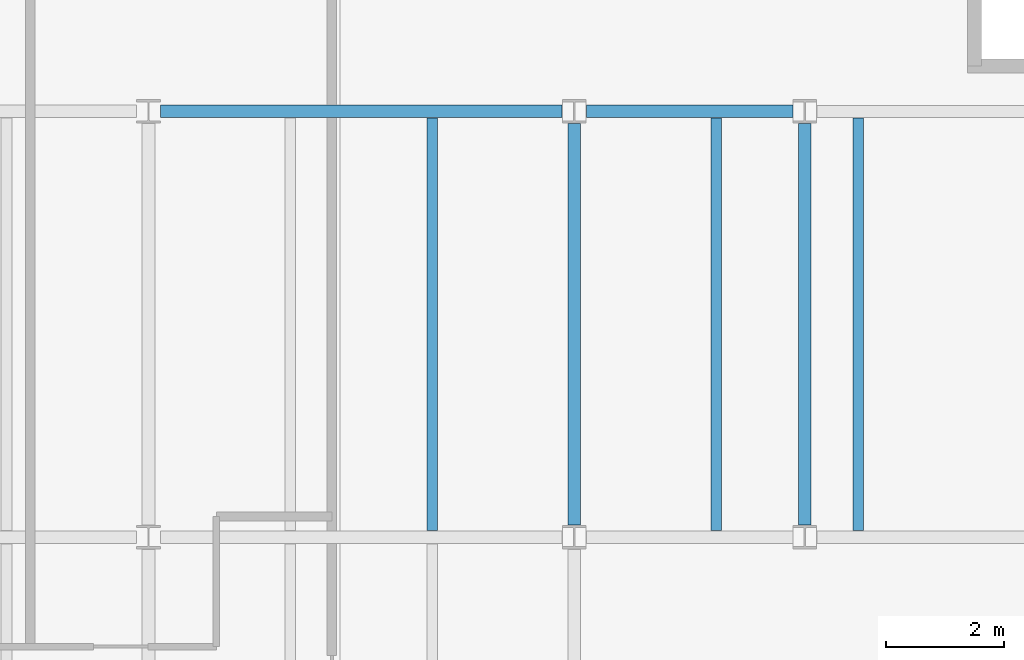
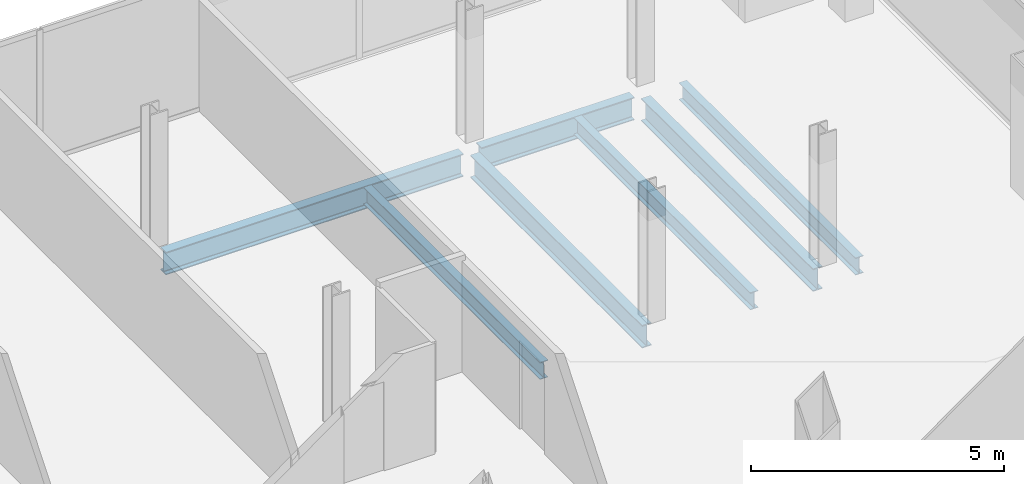
# One storey, part 15 of 23: 7 beams.
"""IFC4 building model written with IfcOpenShell, lengths in metres."""

from ifc_helpers import new_model, si_unit, direction, frame, origin, origin_2d, place, context, subcontext, project, spatial, i_section, extrude, material, material_profile, profile_set, type_object, element, save


model = new_model("IFC4")

# Units and contexts
model_context = context("Model", 3, precision=1e-05, world=origin(), true_north=direction((0.0, 1.0)))
body_context = subcontext(model_context, "Body", "Model", "MODEL_VIEW")
ifc_project = project(units=[si_unit("LENGTHUNIT", "METRE"), si_unit("AREAUNIT", "SQUARE_METRE"), si_unit("VOLUMEUNIT", "CUBIC_METRE"), si_unit("PLANEANGLEUNIT", "RADIAN"), si_unit("MASSUNIT", "GRAM", prefix="KILO")], contexts=[model_context])

# Site, building, storey
site_placement = place(None, origin())
site = spatial("IfcSite", under=ifc_project, at=site_placement, CompositionType="ELEMENT")
building_placement = place(site_placement, origin())
building = spatial("IfcBuilding", under=site, at=building_placement, Name="Cobrela Telecom Tower", CompositionType="ELEMENT")
storey_placement = place(building_placement, frame((0.0, 0.0, 286.64990234375)))
storey = spatial("IfcBuildingStorey", under=building, at=storey_placement, Name="L75", CompositionType="ELEMENT", Elevation=286.64990234375)

# Beams
ifc_material = material(Name="Steel ASTM A992 Grade 50", Category="steel")
ifc_material_profile_1 = material_profile(ifc_material, i_section(OverallWidth=0.212890625, OverallDepth=0.549072265625, WebThickness=0.0146484375, FlangeThickness=0.023681640625, FilletRadius=0.013916015625, at=origin_2d()), Name="W21X93")
ifc_profile_set_1 = profile_set([ifc_material_profile_1], Name="Steel ASTM A992 Grade 50")
beam_type_1 = type_object("IfcBeamType", Name="BM-GIRD-08", PredefinedType="USERDEFINED", material=ifc_profile_set_1)
beam_1_placement = place(storey_placement, frame((29.00439453125, 21.60009765625, -0.534423828125), z_axis=(1.0, 0.0, 0.0), x_axis=(0.0, 1.0, 0.0)))
element("IfcBeam", 1, at=beam_1_placement, inside=storey, type_object=beam_type_1, Name="L75 Primary Girder X12", ObjectType="GIRDER", PredefinedType="USERDEFINED", context=body_context, shape_type="SweptSolid", body=[
    extrude(i_section(OverallWidth=0.212890625, OverallDepth=0.549072265625, WebThickness=0.0146484375, FlangeThickness=0.023681640625, FilletRadius=0.013916015625, at=origin_2d()), origin(), (0.0, 0.0, 1.0), 6.791015625),
])
beam_2_placement = place(storey_placement, frame((36.20458984375, 21.60009765625, -0.534423828125), z_axis=(1.0, 0.0, 0.0), x_axis=(0.0, 1.0, 0.0)))
element("IfcBeam", 2, at=beam_2_placement, inside=storey, type_object=beam_type_1, Name="L75 Primary Girder X13", ObjectType="GIRDER", PredefinedType="USERDEFINED", context=body_context, shape_type="SweptSolid", body=[
    extrude(i_section(OverallWidth=0.212890625, OverallDepth=0.549072265625, WebThickness=0.0146484375, FlangeThickness=0.023681640625, FilletRadius=0.013916015625, at=origin_2d()), origin(), (0.0, 0.0, 1.0), 3.490966796875),
])
for number, where, z_axis, x_axis, name in (
    (3, (36.0, 14.6044921875, -0.534423828125), (0.0, 1.0, 0.0), (-1.0, 0.0, 0.0), "L75 Primary Girder Y32"),
    (4, (39.89990234375, 14.6044921875, -0.534423828125), (0.0, 1.0, 0.0), (-1.0, 0.0, 0.0), "L75 Primary Girder Y33"),
):
    element("IfcBeam", number, at=place(storey_placement, frame(where, z_axis=z_axis, x_axis=x_axis)), inside=storey, type_object=beam_type_1, Name=name, ObjectType="GIRDER", PredefinedType="USERDEFINED", context=body_context, shape_type="SweptSolid", body=[
        extrude(i_section(OverallWidth=0.212890625, OverallDepth=0.549072265625, WebThickness=0.0146484375, FlangeThickness=0.023681640625, FilletRadius=0.013916015625, at=origin_2d()), origin(), (0.0, 0.0, 1.0), 6.791015625),
    ])
ifc_material_profile_2 = material_profile(ifc_material, i_section(OverallWidth=0.179931640625, OverallDepth=0.4169921875, WebThickness=0.010986328125, FlangeThickness=0.01806640625, FilletRadius=0.011962890625, at=origin_2d()), Name="W16X57")
ifc_profile_set_2 = profile_set([ifc_material_profile_2], Name="Steel ASTM A992 Grade 50")
beam_type_2 = type_object("IfcBeamType", Name="BM-JOIST-04", PredefinedType="JOIST", material=ifc_profile_set_2)
for number, where, z_axis, x_axis, name in (
    (5, (33.60009765625, 14.511474609375, -0.468505859375), (0.0, 1.0, 0.0), (-1.0, 0.0, 0.0), "L75 Secondary Composite Floor Beam J14"),
    (6, (38.39990234375, 14.511474609375, -0.468505859375), (0.0, 1.0, 0.0), (-1.0, 0.0, 0.0), "L75 Secondary Composite Floor Beam J15"),
):
    element("IfcBeam", number, at=place(storey_placement, frame(where, z_axis=z_axis, x_axis=x_axis)), inside=storey, type_object=beam_type_2, Name=name, PredefinedType="JOIST", context=body_context, shape_type="SweptSolid", body=[
        extrude(i_section(OverallWidth=0.179931640625, OverallDepth=0.4169921875, WebThickness=0.010986328125, FlangeThickness=0.01806640625, FilletRadius=0.011962890625, at=origin_2d()), origin(), (0.0, 0.0, 1.0), 6.97705078125),
    ])
beam_3_placement = place(storey_placement, frame((40.800048828125, 14.511474609375, -0.468505859375), z_axis=(0.0, 1.0, 0.0), x_axis=(-1.0, 0.0, 0.0)))
element("IfcBeam", 7, at=beam_3_placement, inside=storey, type_object=beam_type_2, Name="L75 Secondary Composite Floor Beam J16", PredefinedType="JOIST", context=body_context, shape_type="SweptSolid", body=[
    extrude(i_section(OverallWidth=0.179931640625, OverallDepth=0.4169921875, WebThickness=0.010986328125, FlangeThickness=0.01806640625, FilletRadius=0.011962890625, at=origin_2d()), origin(), (0.0, 0.0, 1.0), 6.98095703125),
])

save(model, "model.ifc")
